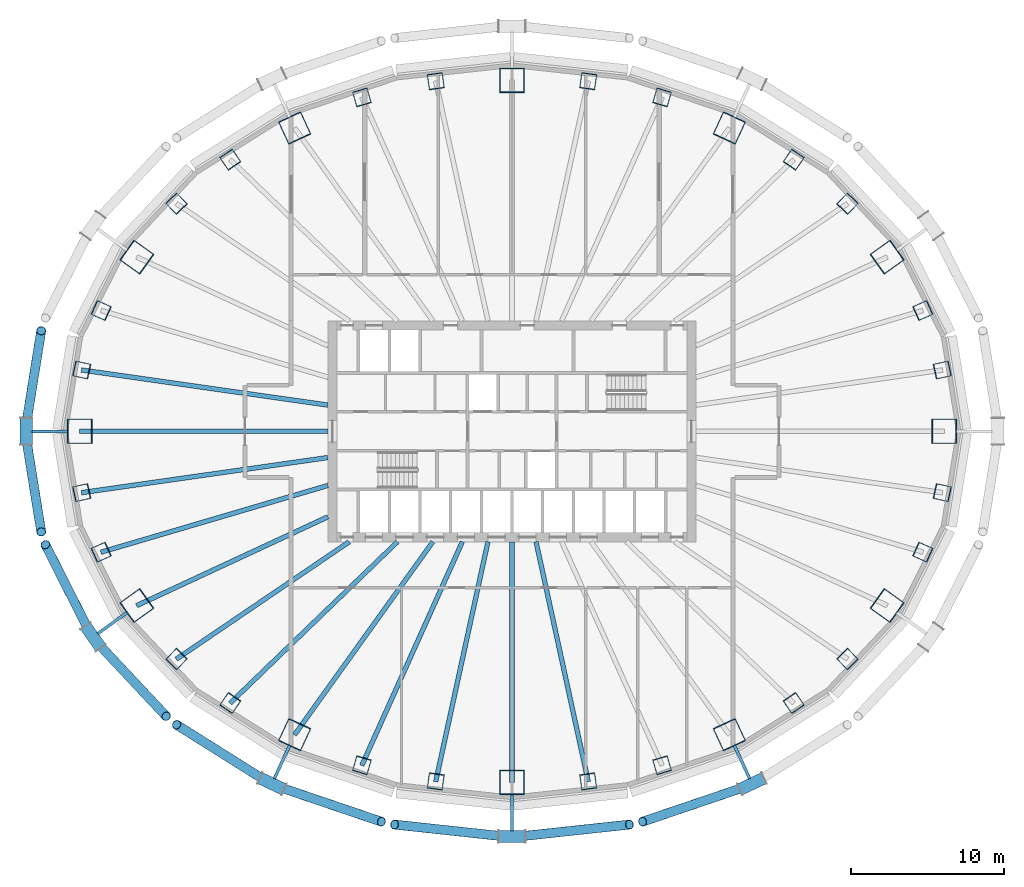
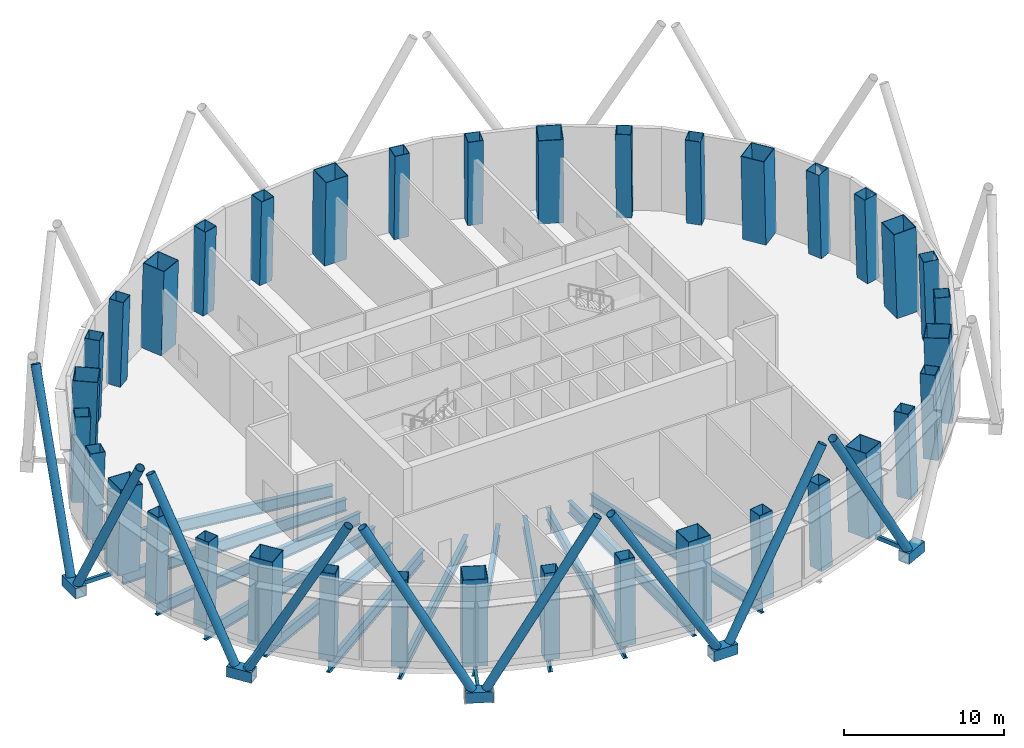
# One storey, part 1 of 13: 36 columns, 19 members, 12 beams.
"""IFC4 building model written with IfcOpenShell, lengths in metres."""

from ifc_helpers import new_model, si_unit, direction, frame, origin, origin_2d, place, context, subcontext, project, spatial, hollow_rectangle, hollow_circle, i_section, extrude, material, material_profile, profile_set, type_object, element, save


model = new_model("IFC4")

# Units and contexts
model_context = context("Model", 3, precision=1e-05, world=origin(), true_north=direction((0.0, 1.0)))
body_context = subcontext(model_context, "Body", "Model", "MODEL_VIEW")
ifc_project = project(units=[si_unit("LENGTHUNIT", "METRE"), si_unit("AREAUNIT", "SQUARE_METRE"), si_unit("VOLUMEUNIT", "CUBIC_METRE"), si_unit("PLANEANGLEUNIT", "RADIAN"), si_unit("MASSUNIT", "GRAM", prefix="KILO")], contexts=[model_context])

# Site, building, storey
site_placement = place(None, origin())
site = spatial("IfcSite", under=ifc_project, at=site_placement, CompositionType="ELEMENT")
building_placement = place(site_placement, origin())
building = spatial("IfcBuilding", under=site, at=building_placement, Name="Siaravel Broadcast Tower", CompositionType="ELEMENT")
storey_placement = place(building_placement, frame((0.0, 0.0, 7.0)))
storey = spatial("IfcBuildingStorey", under=building, at=storey_placement, Name="L01", CompositionType="ELEMENT", Elevation=7.0)

# Columns
ifc_material_1 = material(Name="Concrete C70/85", Category="concrete")
ifc_material_profile_1 = material_profile(ifc_material_1, hollow_rectangle(XDim=1.0, YDim=1.0, WallThickness=0.031982421875, at=origin_2d()))
ifc_profile_set_1 = profile_set([ifc_material_profile_1], Name="Concrete C70/85")
column_type_1 = type_object("IfcColumnType", Name="COL-CFT BOX 1000x1000x32", PredefinedType="COLUMN", material=ifc_profile_set_1)
column_1_placement = place(storey_placement, frame((28.07275390625, 3.999267578125, 0.0), z_axis=(-0.034046844, -0.00491746, 0.99940814), x_axis=(0.21229879, -0.977201794, 0.002424187)))
element("IfcColumn", 1, at=column_1_placement, inside=storey, type_object=column_type_1, Name="Perimeter column C01", PredefinedType="COLUMN", context=body_context, shape_type="SweptSolid", body=[
    extrude(hollow_rectangle(XDim=1.0, YDim=1.0, WallThickness=0.031982421875, at=origin_2d()), origin(), (0.0, 0.0, 1.0), 6.50390625),
])
column_2_placement = place(storey_placement, frame((26.802001953125, 7.883544921875, 0.0), z_axis=(-0.032508325, -0.009684928, 0.99942454), x_axis=(0.409164552, -0.912449679, 0.004466815)))
element("IfcColumn", 2, at=column_2_placement, inside=storey, type_object=column_type_1, Name="Perimeter column C02", PredefinedType="COLUMN", context=body_context, shape_type="SweptSolid", body=[
    extrude(hollow_rectangle(XDim=1.0, YDim=1.0, WallThickness=0.031982421875, at=origin_2d()), origin(), (0.0, 0.0, 1.0), 6.503662109375),
])
column_3_placement = place(storey_placement, frame((21.88623046875, 14.8544921875, 0.0), z_axis=(-0.026503715, -0.018207227, 0.999482891), x_axis=(0.71942256, -0.694542943, 0.006424992)))
element("IfcColumn", 3, at=column_3_placement, inside=storey, type_object=column_type_1, Name="Perimeter column C03", PredefinedType="COLUMN", context=body_context, shape_type="SweptSolid", body=[
    extrude(hollow_rectangle(XDim=1.0, YDim=1.0, WallThickness=0.031982421875, at=origin_2d()), origin(), (0.0, 0.0, 1.0), 6.50341796875),
])
column_4_placement = place(storey_placement, frame((18.380615234375, 17.725830078125, 0.0), z_axis=(-0.022262371, -0.021699242, 0.999516648), x_axis=(0.827041819, -0.562106014, 0.006217643)))
element("IfcColumn", 4, at=column_4_placement, inside=storey, type_object=column_type_1, Name="Perimeter column C04", PredefinedType="COLUMN", context=body_context, shape_type="SweptSolid", body=[
    extrude(hollow_rectangle(XDim=1.0, YDim=1.0, WallThickness=0.031982421875, at=origin_2d()), origin(), (0.0, 0.0, 1.0), 6.503173828125),
])
for number, where, z_axis, x_axis, name in (
    (5, (9.79248046875, 21.785888671875, 0.0), (-0.011788871, -0.026618821, 0.999576141), (0.959853755, -0.280474484, 0.003851325), "Perimeter column C05"),
    (6, (4.973388671875, 22.843505859375, 0.0), (-0.005969625, -0.027895794, 0.999593011), (0.990225668, -0.139459812, 0.002021756), "Perimeter column C06"),
    (7, (-4.973388671875, 22.843505859375, 0.0), (0.005969625, -0.027895794, 0.999593011), (0.990225668, 0.139459812, -0.002021756), "Perimeter column C07"),
    (8, (-9.79248046875, 21.785888671875, 0.0), (0.011788871, -0.026618821, 0.999576141), (0.959853755, 0.280474484, -0.003851325), "Perimeter column C08"),
):
    element("IfcColumn", number, at=place(storey_placement, frame(where, z_axis=z_axis, x_axis=x_axis)), inside=storey, type_object=column_type_1, Name=name, PredefinedType="COLUMN", context=body_context, shape_type="SweptSolid", body=[
        extrude(hollow_rectangle(XDim=1.0, YDim=1.0, WallThickness=0.031982421875, at=origin_2d()), origin(), (0.0, 0.0, 1.0), 6.502685546875),
    ])
column_5_placement = place(storey_placement, frame((-18.380615234375, 17.725830078125, 0.0), z_axis=(0.022262371, -0.021699242, 0.999516648), x_axis=(0.827041819, 0.562106014, -0.006217643)))
element("IfcColumn", 9, at=column_5_placement, inside=storey, type_object=column_type_1, Name="Perimeter column C09", PredefinedType="COLUMN", context=body_context, shape_type="SweptSolid", body=[
    extrude(hollow_rectangle(XDim=1.0, YDim=1.0, WallThickness=0.031982421875, at=origin_2d()), origin(), (0.0, 0.0, 1.0), 6.503173828125),
])
column_6_placement = place(storey_placement, frame((-21.88623046875, 14.8544921875, 0.0), z_axis=(0.026503715, -0.018207227, 0.999482891), x_axis=(0.71942256, 0.694542943, -0.006424992)))
element("IfcColumn", 10, at=column_6_placement, inside=storey, type_object=column_type_1, Name="Perimeter column C10", PredefinedType="COLUMN", context=body_context, shape_type="SweptSolid", body=[
    extrude(hollow_rectangle(XDim=1.0, YDim=1.0, WallThickness=0.031982421875, at=origin_2d()), origin(), (0.0, 0.0, 1.0), 6.50341796875),
])
column_7_placement = place(storey_placement, frame((-26.802001953125, 7.883544921875, 0.0), z_axis=(0.032508325, -0.009684928, 0.99942454), x_axis=(0.409164552, 0.912449679, -0.004466815)))
element("IfcColumn", 11, at=column_7_placement, inside=storey, type_object=column_type_1, Name="Perimeter column C11", PredefinedType="COLUMN", context=body_context, shape_type="SweptSolid", body=[
    extrude(hollow_rectangle(XDim=1.0, YDim=1.0, WallThickness=0.031982421875, at=origin_2d()), origin(), (0.0, 0.0, 1.0), 6.503662109375),
])
for number, where, z_axis, x_axis, name in (
    (12, (-28.07275390625, 3.999267578125, 0.0), (0.034046844, -0.00491746, 0.99940814), (0.21229879, 0.977201794, -0.002424187), "Perimeter column C12"),
    (13, (-28.07275390625, -3.999267578125, 0.0), (0.034046844, 0.00491746, 0.99940814), (-0.21229879, 0.977201794, 0.002424187), "Perimeter column C13"),
):
    element("IfcColumn", number, at=place(storey_placement, frame(where, z_axis=z_axis, x_axis=x_axis)), inside=storey, type_object=column_type_1, Name=name, PredefinedType="COLUMN", context=body_context, shape_type="SweptSolid", body=[
        extrude(hollow_rectangle(XDim=1.0, YDim=1.0, WallThickness=0.031982421875, at=origin_2d()), origin(), (0.0, 0.0, 1.0), 6.50390625),
    ])
column_8_placement = place(storey_placement, frame((-26.802001953125, -7.883544921875, 0.0), z_axis=(0.032508325, 0.009684928, 0.99942454), x_axis=(-0.409164552, 0.912449679, 0.004466815)))
element("IfcColumn", 14, at=column_8_placement, inside=storey, type_object=column_type_1, Name="Perimeter column C14", PredefinedType="COLUMN", context=body_context, shape_type="SweptSolid", body=[
    extrude(hollow_rectangle(XDim=1.0, YDim=1.0, WallThickness=0.031982421875, at=origin_2d()), origin(), (0.0, 0.0, 1.0), 6.503662109375),
])
column_9_placement = place(storey_placement, frame((-21.88623046875, -14.8544921875, 0.0), z_axis=(0.026503715, 0.018207227, 0.999482891), x_axis=(-0.71942256, 0.694542943, 0.006424992)))
element("IfcColumn", 15, at=column_9_placement, inside=storey, type_object=column_type_1, Name="Perimeter column C15", PredefinedType="COLUMN", context=body_context, shape_type="SweptSolid", body=[
    extrude(hollow_rectangle(XDim=1.0, YDim=1.0, WallThickness=0.031982421875, at=origin_2d()), origin(), (0.0, 0.0, 1.0), 6.50341796875),
])
column_10_placement = place(storey_placement, frame((-18.380615234375, -17.725830078125, 0.0), z_axis=(0.022262371, 0.021699242, 0.999516648), x_axis=(-0.827041819, 0.562106014, 0.006217643)))
element("IfcColumn", 16, at=column_10_placement, inside=storey, type_object=column_type_1, Name="Perimeter column C16", PredefinedType="COLUMN", context=body_context, shape_type="SweptSolid", body=[
    extrude(hollow_rectangle(XDim=1.0, YDim=1.0, WallThickness=0.031982421875, at=origin_2d()), origin(), (0.0, 0.0, 1.0), 6.503173828125),
])
for number, where, z_axis, x_axis, name in (
    (17, (-9.79248046875, -21.785888671875, 0.0), (0.011788871, 0.026618821, 0.999576141), (-0.959853755, 0.280474484, 0.003851325), "Perimeter column C17"),
    (18, (-4.973388671875, -22.843505859375, 0.0), (0.005969625, 0.027895794, 0.999593011), (-0.990225668, 0.139459812, 0.002021756), "Perimeter column C18"),
    (19, (4.973388671875, -22.843505859375, 0.0), (-0.005969625, 0.027895794, 0.999593011), (-0.990225668, -0.139459812, -0.002021756), "Perimeter column C19"),
    (20, (9.79248046875, -21.785888671875, 0.0), (-0.011788871, 0.026618821, 0.999576141), (-0.959853755, -0.280474484, -0.003851325), "Perimeter column C20"),
):
    element("IfcColumn", number, at=place(storey_placement, frame(where, z_axis=z_axis, x_axis=x_axis)), inside=storey, type_object=column_type_1, Name=name, PredefinedType="COLUMN", context=body_context, shape_type="SweptSolid", body=[
        extrude(hollow_rectangle(XDim=1.0, YDim=1.0, WallThickness=0.031982421875, at=origin_2d()), origin(), (0.0, 0.0, 1.0), 6.502685546875),
    ])
column_11_placement = place(storey_placement, frame((18.380615234375, -17.725830078125, 0.0), z_axis=(-0.022262371, 0.021699242, 0.999516648), x_axis=(-0.827041819, -0.562106014, -0.006217643)))
element("IfcColumn", 21, at=column_11_placement, inside=storey, type_object=column_type_1, Name="Perimeter column C21", PredefinedType="COLUMN", context=body_context, shape_type="SweptSolid", body=[
    extrude(hollow_rectangle(XDim=1.0, YDim=1.0, WallThickness=0.031982421875, at=origin_2d()), origin(), (0.0, 0.0, 1.0), 6.503173828125),
])
column_12_placement = place(storey_placement, frame((21.88623046875, -14.8544921875, 0.0), z_axis=(-0.026503715, 0.018207227, 0.999482891), x_axis=(-0.71942256, -0.694542943, -0.006424992)))
element("IfcColumn", 22, at=column_12_placement, inside=storey, type_object=column_type_1, Name="Perimeter column C22", PredefinedType="COLUMN", context=body_context, shape_type="SweptSolid", body=[
    extrude(hollow_rectangle(XDim=1.0, YDim=1.0, WallThickness=0.031982421875, at=origin_2d()), origin(), (0.0, 0.0, 1.0), 6.50341796875),
])
column_13_placement = place(storey_placement, frame((26.802001953125, -7.883544921875, 0.0), z_axis=(-0.032508325, 0.009684928, 0.99942454), x_axis=(-0.409164552, -0.912449679, -0.004466815)))
element("IfcColumn", 23, at=column_13_placement, inside=storey, type_object=column_type_1, Name="Perimeter column C23", PredefinedType="COLUMN", context=body_context, shape_type="SweptSolid", body=[
    extrude(hollow_rectangle(XDim=1.0, YDim=1.0, WallThickness=0.031982421875, at=origin_2d()), origin(), (0.0, 0.0, 1.0), 6.503662109375),
])
column_14_placement = place(storey_placement, frame((28.07275390625, -3.999267578125, 0.0), z_axis=(-0.034046844, 0.00491746, 0.99940814), x_axis=(-0.21229879, -0.977201794, -0.002424187)))
element("IfcColumn", 24, at=column_14_placement, inside=storey, type_object=column_type_1, Name="Perimeter column C24", PredefinedType="COLUMN", context=body_context, shape_type="SweptSolid", body=[
    extrude(hollow_rectangle(XDim=1.0, YDim=1.0, WallThickness=0.031982421875, at=origin_2d()), origin(), (0.0, 0.0, 1.0), 6.50390625),
])
ifc_material_profile_2 = material_profile(ifc_material_1, hollow_rectangle(XDim=1.60009765625, YDim=1.60009765625, WallThickness=0.0400390625, at=origin_2d()))
ifc_profile_set_2 = profile_set([ifc_material_profile_2], Name="Concrete C70/85")
column_type_2 = type_object("IfcColumnType", Name="COL-CFT BOX 1600x1600x40", PredefinedType="COLUMN", material=ifc_profile_set_2)
column_15_placement = place(storey_placement, frame((28.199951171875, 0.0, 0.0), z_axis=(-0.034572169, 0.0, 0.999402204), x_axis=(0.0, -1.0, 0.0)))
element("IfcColumn", 25, at=column_15_placement, inside=storey, type_object=column_type_2, Name="Megacolumn MC01", PredefinedType="COLUMN", context=body_context, shape_type="SweptSolid", body=[
    extrude(hollow_rectangle(XDim=1.60009765625, YDim=1.60009765625, WallThickness=0.0400390625, at=origin_2d()), origin(), (0.0, 0.0, 1.0), 6.50390625),
])
column_16_placement = place(storey_placement, frame((24.475341796875, 11.3662109375, 0.0), z_axis=(-0.029956502, -0.014152382, 0.999451008), x_axis=(0.581402887, -0.813594374, 0.00590574)))
element("IfcColumn", 26, at=column_16_placement, inside=storey, type_object=column_type_2, Name="Megacolumn MC02", PredefinedType="COLUMN", context=body_context, shape_type="SweptSolid", body=[
    extrude(hollow_rectangle(XDim=1.60009765625, YDim=1.60009765625, WallThickness=0.0400390625, at=origin_2d()), origin(), (0.0, 0.0, 1.0), 6.503662109375),
])
column_17_placement = place(storey_placement, frame((14.1796875, 19.790283203125, 0.0), z_axis=(-0.01730739, -0.024553217, 0.999548695), x_axis=(0.907227052, -0.4206069, 0.005376906)))
element("IfcColumn", 27, at=column_17_placement, inside=storey, type_object=column_type_2, Name="Megacolumn MC03", PredefinedType="COLUMN", context=body_context, shape_type="SweptSolid", body=[
    extrude(hollow_rectangle(XDim=1.60009765625, YDim=1.60009765625, WallThickness=0.0400390625, at=origin_2d()), origin(), (0.0, 0.0, 1.0), 6.5029296875),
])
column_18_placement = place(storey_placement, frame((0.0, 22.89990234375, 0.0), z_axis=(0.0, -0.028308962, 0.999599221), x_axis=(1.0, 0.0, 0.0)))
element("IfcColumn", 28, at=column_18_placement, inside=storey, type_object=column_type_2, Name="Megacolumn MC04", PredefinedType="COLUMN", context=body_context, shape_type="SweptSolid", body=[
    extrude(hollow_rectangle(XDim=1.60009765625, YDim=1.60009765625, WallThickness=0.0400390625, at=origin_2d()), origin(), (0.0, 0.0, 1.0), 6.502685546875),
])
column_19_placement = place(storey_placement, frame((-14.1796875, 19.790283203125, 0.0), z_axis=(0.01730739, -0.024553217, 0.999548695), x_axis=(0.907227052, 0.4206069, -0.005376906)))
element("IfcColumn", 29, at=column_19_placement, inside=storey, type_object=column_type_2, Name="Megacolumn MC05", PredefinedType="COLUMN", context=body_context, shape_type="SweptSolid", body=[
    extrude(hollow_rectangle(XDim=1.60009765625, YDim=1.60009765625, WallThickness=0.0400390625, at=origin_2d()), origin(), (0.0, 0.0, 1.0), 6.5029296875),
])
column_20_placement = place(storey_placement, frame((-24.475341796875, 11.3662109375, 0.0), z_axis=(0.029956502, -0.014152382, 0.999451008), x_axis=(0.581402887, 0.813594374, -0.00590574)))
element("IfcColumn", 30, at=column_20_placement, inside=storey, type_object=column_type_2, Name="Megacolumn MC06", PredefinedType="COLUMN", context=body_context, shape_type="SweptSolid", body=[
    extrude(hollow_rectangle(XDim=1.60009765625, YDim=1.60009765625, WallThickness=0.0400390625, at=origin_2d()), origin(), (0.0, 0.0, 1.0), 6.503662109375),
])
column_21_placement = place(storey_placement, frame((-28.199951171875, 0.0, 0.0), z_axis=(0.034572169, 0.0, 0.999402204), x_axis=(0.0, 1.0, 0.0)))
element("IfcColumn", 31, at=column_21_placement, inside=storey, type_object=column_type_2, Name="Megacolumn MC07", PredefinedType="COLUMN", context=body_context, shape_type="SweptSolid", body=[
    extrude(hollow_rectangle(XDim=1.60009765625, YDim=1.60009765625, WallThickness=0.0400390625, at=origin_2d()), origin(), (0.0, 0.0, 1.0), 6.50390625),
])
column_22_placement = place(storey_placement, frame((-24.475341796875, -11.3662109375, 0.0), z_axis=(0.029956502, 0.014152382, 0.999451008), x_axis=(-0.581402887, 0.813594374, 0.00590574)))
element("IfcColumn", 32, at=column_22_placement, inside=storey, type_object=column_type_2, Name="Megacolumn MC08", PredefinedType="COLUMN", context=body_context, shape_type="SweptSolid", body=[
    extrude(hollow_rectangle(XDim=1.60009765625, YDim=1.60009765625, WallThickness=0.0400390625, at=origin_2d()), origin(), (0.0, 0.0, 1.0), 6.503662109375),
])
column_23_placement = place(storey_placement, frame((-14.1796875, -19.790283203125, 0.0), z_axis=(0.01730739, 0.024553217, 0.999548695), x_axis=(-0.907227052, 0.4206069, 0.005376906)))
element("IfcColumn", 33, at=column_23_placement, inside=storey, type_object=column_type_2, Name="Megacolumn MC09", PredefinedType="COLUMN", context=body_context, shape_type="SweptSolid", body=[
    extrude(hollow_rectangle(XDim=1.60009765625, YDim=1.60009765625, WallThickness=0.0400390625, at=origin_2d()), origin(), (0.0, 0.0, 1.0), 6.5029296875),
])
column_24_placement = place(storey_placement, frame((0.0, -22.89990234375, 0.0), z_axis=(0.0, 0.028308962, 0.999599221), x_axis=(-1.0, 0.0, 0.0)))
element("IfcColumn", 34, at=column_24_placement, inside=storey, type_object=column_type_2, Name="Megacolumn MC10", PredefinedType="COLUMN", context=body_context, shape_type="SweptSolid", body=[
    extrude(hollow_rectangle(XDim=1.60009765625, YDim=1.60009765625, WallThickness=0.0400390625, at=origin_2d()), origin(), (0.0, 0.0, 1.0), 6.502685546875),
])
column_25_placement = place(storey_placement, frame((14.1796875, -19.790283203125, 0.0), z_axis=(-0.01730739, 0.024553217, 0.999548695), x_axis=(-0.907227052, -0.4206069, -0.005376906)))
element("IfcColumn", 35, at=column_25_placement, inside=storey, type_object=column_type_2, Name="Megacolumn MC11", PredefinedType="COLUMN", context=body_context, shape_type="SweptSolid", body=[
    extrude(hollow_rectangle(XDim=1.60009765625, YDim=1.60009765625, WallThickness=0.0400390625, at=origin_2d()), origin(), (0.0, 0.0, 1.0), 6.5029296875),
])
column_26_placement = place(storey_placement, frame((24.475341796875, -11.3662109375, 0.0), z_axis=(-0.029956502, 0.014152382, 0.999451008), x_axis=(-0.581402887, -0.813594374, -0.00590574)))
element("IfcColumn", 36, at=column_26_placement, inside=storey, type_object=column_type_2, Name="Megacolumn MC12", PredefinedType="COLUMN", context=body_context, shape_type="SweptSolid", body=[
    extrude(hollow_rectangle(XDim=1.60009765625, YDim=1.60009765625, WallThickness=0.0400390625, at=origin_2d()), origin(), (0.0, 0.0, 1.0), 6.503662109375),
])

# Beams
ifc_material_2 = material(Name="Steel S355", Category="steel")
ifc_material_profile_3 = material_profile(ifc_material_2, i_section(OverallWidth=0.30322265625, OverallDepth=0.903076171875, WebThickness=0.01513671875, FlangeThickness=0.020263671875, FilletRadius=0.01904296875, at=origin_2d()))
ifc_profile_set_3 = profile_set([ifc_material_profile_3], Name="Steel S355")
beam_type = type_object("IfcBeamType", Name="BM-UB 914x305x201", PredefinedType="BEAM", material=ifc_profile_set_3)
beam_1_placement = place(storey_placement, frame((-28.07275390625, 3.999267578125, -0.8515625), z_axis=(0.990003857, -0.141040286, 0.0), x_axis=(0.141040286, 0.990003857, 0.0)))
element("IfcBeam", 37, at=beam_1_placement, inside=storey, type_object=beam_type, Name="Radial beam RB18", PredefinedType="BEAM", context=body_context, shape_type="SweptSolid", body=[
    extrude(i_section(OverallWidth=0.30322265625, OverallDepth=0.903076171875, WebThickness=0.01513671875, FlangeThickness=0.020263671875, FilletRadius=0.01904296875, at=origin_2d()), origin(), (0.0, 0.0, 1.0), 16.235107421875),
])
beam_2_placement = place(storey_placement, frame((-28.199951171875, 0.0, -0.8515625), z_axis=(1.0, 0.0, 0.0), x_axis=(0.0, 1.0, 0.0)))
element("IfcBeam", 38, at=beam_2_placement, inside=storey, type_object=beam_type, Name="Radial beam RB19", PredefinedType="BEAM", context=body_context, shape_type="SweptSolid", body=[
    extrude(i_section(OverallWidth=0.30322265625, OverallDepth=0.903076171875, WebThickness=0.01513671875, FlangeThickness=0.020263671875, FilletRadius=0.01904296875, at=origin_2d()), origin(), (0.0, 0.0, 1.0), 16.199951171875),
])
beam_3_placement = place(storey_placement, frame((-28.07275390625, -3.999267578125, -0.8515625), z_axis=(0.990003857, 0.141040286, 0.0), x_axis=(-0.141040286, 0.990003857, 0.0)))
element("IfcBeam", 39, at=beam_3_placement, inside=storey, type_object=beam_type, Name="Radial beam RB20", PredefinedType="BEAM", context=body_context, shape_type="SweptSolid", body=[
    extrude(i_section(OverallWidth=0.30322265625, OverallDepth=0.903076171875, WebThickness=0.01513671875, FlangeThickness=0.020263671875, FilletRadius=0.01904296875, at=origin_2d()), origin(), (0.0, 0.0, 1.0), 16.235107421875),
])
beam_4_placement = place(storey_placement, frame((-26.802001953125, -7.883544921875, -0.8515625), z_axis=(0.95936147, 0.282180031, 0.0), x_axis=(-0.282180031, 0.95936147, 0.0)))
element("IfcBeam", 40, at=beam_4_placement, inside=storey, type_object=beam_type, Name="Radial beam RB21", PredefinedType="BEAM", context=body_context, shape_type="SweptSolid", body=[
    extrude(i_section(OverallWidth=0.30322265625, OverallDepth=0.903076171875, WebThickness=0.01513671875, FlangeThickness=0.020263671875, FilletRadius=0.01904296875, at=origin_2d()), origin(), (0.0, 0.0, 1.0), 15.428955078125),
])
beam_5_placement = place(storey_placement, frame((-24.475341796875, -11.3662109375, -0.8515625), z_axis=(0.90697192, 0.421191093, 0.0), x_axis=(-0.421191093, 0.90697192, 0.0)))
element("IfcBeam", 41, at=beam_5_placement, inside=storey, type_object=beam_type, Name="Radial beam RB22", PredefinedType="BEAM", context=body_context, shape_type="SweptSolid", body=[
    extrude(i_section(OverallWidth=0.30322265625, OverallDepth=0.903076171875, WebThickness=0.01513671875, FlangeThickness=0.020263671875, FilletRadius=0.01904296875, at=origin_2d()), origin(), (0.0, 0.0, 1.0), 13.7548828125),
])
beam_6_placement = place(storey_placement, frame((-21.88623046875, -14.8544921875, -0.8515625), z_axis=(0.827416919, 0.561588143, 0.0), x_axis=(-0.561588143, 0.827416919, 0.0)))
element("IfcBeam", 42, at=beam_6_placement, inside=storey, type_object=beam_type, Name="Radial beam RB23", PredefinedType="BEAM", context=body_context, shape_type="SweptSolid", body=[
    extrude(i_section(OverallWidth=0.30322265625, OverallDepth=0.903076171875, WebThickness=0.01513671875, FlangeThickness=0.020263671875, FilletRadius=0.01904296875, at=origin_2d()), origin(), (0.0, 0.0, 1.0), 13.630126953125),
])
beam_7_placement = place(storey_placement, frame((-18.380615234375, -17.725830078125, -0.8515625), z_axis=(0.719814701, 0.69416626, 0.0), x_axis=(-0.69416626, 0.719814701, 0.0)))
element("IfcBeam", 43, at=beam_7_placement, inside=storey, type_object=beam_type, Name="Radial beam RB24", PredefinedType="BEAM", context=body_context, shape_type="SweptSolid", body=[
    extrude(i_section(OverallWidth=0.30322265625, OverallDepth=0.903076171875, WebThickness=0.01513671875, FlangeThickness=0.020263671875, FilletRadius=0.01904296875, at=origin_2d()), origin(), (0.0, 0.0, 1.0), 15.163330078125),
])
beam_8_placement = place(storey_placement, frame((-14.1796875, -19.790283203125, -0.8515625), z_axis=(0.582430419, 0.812880561, 0.0), x_axis=(-0.812880561, 0.582430419, 0.0)))
element("IfcBeam", 44, at=beam_8_placement, inside=storey, type_object=beam_type, Name="Radial beam RB25", PredefinedType="BEAM", context=body_context, shape_type="SweptSolid", body=[
    extrude(i_section(OverallWidth=0.30322265625, OverallDepth=0.903076171875, WebThickness=0.01513671875, FlangeThickness=0.020263671875, FilletRadius=0.01904296875, at=origin_2d()), origin(), (0.0, 0.0, 1.0), 15.488525390625),
])
beam_9_placement = place(storey_placement, frame((-9.79248046875, -21.785888671875, -0.8515625), z_axis=(0.409973607, 0.912097386, 0.0), x_axis=(-0.912097386, 0.409973607, 0.0)))
element("IfcBeam", 45, at=beam_9_placement, inside=storey, type_object=beam_type, Name="Radial beam RB26", PredefinedType="BEAM", context=body_context, shape_type="SweptSolid", body=[
    extrude(i_section(OverallWidth=0.30322265625, OverallDepth=0.903076171875, WebThickness=0.01513671875, FlangeThickness=0.020263671875, FilletRadius=0.01904296875, at=origin_2d()), origin(), (0.0, 0.0, 1.0), 15.99169921875),
])
beam_10_placement = place(storey_placement, frame((-4.973388671875, -22.843505859375, -0.8515625), z_axis=(0.212727188, 0.977111633, 0.0), x_axis=(-0.977111633, 0.212727188, 0.0)))
element("IfcBeam", 46, at=beam_10_placement, inside=storey, type_object=beam_type, Name="Radial beam RB27", PredefinedType="BEAM", context=body_context, shape_type="SweptSolid", body=[
    extrude(i_section(OverallWidth=0.30322265625, OverallDepth=0.903076171875, WebThickness=0.01513671875, FlangeThickness=0.020263671875, FilletRadius=0.01904296875, at=origin_2d()), origin(), (0.0, 0.0, 1.0), 16.010009765625),
])
beam_11_placement = place(storey_placement, frame((0.0, -22.89990234375, -0.8515625), z_axis=(0.0, 1.0, 0.0), x_axis=(-1.0, 0.0, 0.0)))
element("IfcBeam", 47, at=beam_11_placement, inside=storey, type_object=beam_type, Name="Radial beam RB28", PredefinedType="BEAM", context=body_context, shape_type="SweptSolid", body=[
    extrude(i_section(OverallWidth=0.30322265625, OverallDepth=0.903076171875, WebThickness=0.01513671875, FlangeThickness=0.020263671875, FilletRadius=0.01904296875, at=origin_2d()), origin(), (0.0, 0.0, 1.0), 15.699951171875),
])
beam_12_placement = place(storey_placement, frame((4.973388671875, -22.843505859375, -0.8515625), z_axis=(-0.212727188, 0.977111633, 0.0), x_axis=(-0.977111633, -0.212727188, 0.0)))
element("IfcBeam", 48, at=beam_12_placement, inside=storey, type_object=beam_type, Name="Radial beam RB29", PredefinedType="BEAM", context=body_context, shape_type="SweptSolid", body=[
    extrude(i_section(OverallWidth=0.30322265625, OverallDepth=0.903076171875, WebThickness=0.01513671875, FlangeThickness=0.020263671875, FilletRadius=0.01904296875, at=origin_2d()), origin(), (0.0, 0.0, 1.0), 16.010009765625),
])

# Members
ifc_material_3 = material(Name="Steel S460", Category="steel")
ifc_material_profile_4 = material_profile(ifc_material_3, hollow_circle(Radius=0.304931640625, WallThickness=0.02490234375, at=origin_2d()))
ifc_profile_set_4 = profile_set([ifc_material_profile_4], Name="Steel S460")
member_type_1 = type_object("IfcMemberType", Name="Diagrid diagonal CHS 610x25", PredefinedType="BRACE", material=ifc_profile_set_4)
for number, where, z_axis, x_axis, name in (
    (49, (-31.675048828125, 0.435546875, 0.169921875), (0.071629519, 0.445645428, 0.892339266), (-0.987327618, 0.158695228, 0.0), "Diagrid diagonal R01 station 36C"),
    (50, (-31.675048828125, -0.435546875, 0.169921875), (0.071629519, -0.445645428, 0.892339266), (0.987327618, 0.158695228, 0.0), "Diagrid diagonal R01 station 36A"),
):
    element("IfcMember", number, at=place(storey_placement, frame(where, z_axis=z_axis, x_axis=x_axis)), inside=storey, type_object=member_type_1, Name=name, PredefinedType="BRACE", context=body_context, shape_type="SweptSolid", body=[
        extrude(hollow_circle(Radius=0.304931640625, WallThickness=0.02490234375, at=origin_2d()), origin(), (0.0, 0.0, 1.0), 13.7392578125),
    ])
member_1_placement = place(storey_placement, frame((-27.5556640625, -13.0498046875, 0.169921875), z_axis=(-0.207474373, 0.410244673, 0.888061762), x_axis=(-0.89237135, -0.451301866, 0.0)))
element("IfcMember", 51, at=member_1_placement, inside=storey, type_object=member_type_1, Name="Diagrid diagonal R01 station 42C", PredefinedType="BRACE", context=body_context, shape_type="SweptSolid", body=[
    extrude(hollow_circle(Radius=0.304931640625, WallThickness=0.02490234375, at=origin_2d()), origin(), (0.0, 0.0, 1.0), 13.805419921875),
])
member_2_placement = place(storey_placement, frame((-27.053955078125, -13.76171875, 0.169921875), z_axis=(0.323963938, -0.345778983, 0.880615842), x_axis=(0.729751838, 0.683712114, 0.0)))
element("IfcMember", 52, at=member_2_placement, inside=storey, type_object=member_type_1, Name="Diagrid diagonal R01 station 42A", PredefinedType="BRACE", context=body_context, shape_type="SweptSolid", body=[
    extrude(hollow_circle(Radius=0.304931640625, WallThickness=0.02490234375, at=origin_2d()), origin(), (0.0, 0.0, 1.0), 13.922119140625),
])
member_3_placement = place(storey_placement, frame((-16.042724609375, -22.789306640625, 0.169921875), z_axis=(-0.414461923, 0.260436564, 0.872005797), x_axis=(-0.532050938, -0.846712347, 0.0)))
element("IfcMember", 53, at=member_3_placement, inside=storey, type_object=member_type_1, Name="Diagrid diagonal R01 station 48C", PredefinedType="BRACE", context=body_context, shape_type="SweptSolid", body=[
    extrude(hollow_circle(Radius=0.304931640625, WallThickness=0.02490234375, at=origin_2d()), origin(), (0.0, 0.0, 1.0), 14.0595703125),
])
member_4_placement = place(storey_placement, frame((-15.25537109375, -23.16162109375, 0.169921875), z_axis=(0.475846045, -0.161410257, 0.864590811), x_axis=(0.321229402, 0.94700141, 0.0)))
element("IfcMember", 54, at=member_4_placement, inside=storey, type_object=member_type_1, Name="Diagrid diagonal R01 station 48A", PredefinedType="BRACE", context=body_context, shape_type="SweptSolid", body=[
    extrude(hollow_circle(Radius=0.304931640625, WallThickness=0.02490234375, at=origin_2d()), origin(), (0.0, 0.0, 1.0), 14.18017578125),
])
for number, where, z_axis, x_axis, name in (
    (55, (-0.435546875, -26.415771484375, 0.169921875), (-0.506766616, 0.054636017, 0.860350221), (-0.107191796, -0.994238361, 0.0), "Diagrid diagonal R01 station 54C"),
    (56, (0.435546875, -26.415771484375, 0.169921875), (0.506766616, 0.054636017, 0.860350221), (-0.107191796, 0.994238361, 0.0), "Diagrid diagonal R01 station 54A"),
):
    element("IfcMember", number, at=place(storey_placement, frame(where, z_axis=z_axis, x_axis=x_axis)), inside=storey, type_object=member_type_1, Name=name, PredefinedType="BRACE", context=body_context, shape_type="SweptSolid", body=[
        extrude(hollow_circle(Radius=0.304931640625, WallThickness=0.02490234375, at=origin_2d()), origin(), (0.0, 0.0, 1.0), 14.25),
    ])
member_5_placement = place(storey_placement, frame((15.25537109375, -23.16162109375, 0.169921875), z_axis=(-0.475846045, -0.161410257, 0.864590811), x_axis=(0.321229402, -0.94700141, 0.0)))
element("IfcMember", 57, at=member_5_placement, inside=storey, type_object=member_type_1, Name="Diagrid diagonal R01 station 60C", PredefinedType="BRACE", context=body_context, shape_type="SweptSolid", body=[
    extrude(hollow_circle(Radius=0.304931640625, WallThickness=0.02490234375, at=origin_2d()), origin(), (0.0, 0.0, 1.0), 14.18017578125),
])
ifc_material_profile_5 = material_profile(ifc_material_3, hollow_rectangle(XDim=0.800048828125, YDim=0.800048828125, WallThickness=0.050048828125, at=origin_2d()))
ifc_profile_set_5 = profile_set([ifc_material_profile_5], Name="Steel S460")
member_type_2 = type_object("IfcMemberType", Name="Diagrid node BOX 800x800x50", PredefinedType="USERDEFINED", material=ifc_profile_set_5)
member_6_placement = place(storey_placement, frame((-31.675048828125, 0.860595703125, -0.199951171875), z_axis=(0.0, -1.0, 0.0), x_axis=(1.0, 0.0, 0.0)))
element("IfcMember", 58, at=member_6_placement, inside=storey, type_object=member_type_2, Name="Diagrid node R01 station 36", ObjectType="DIAGRID NODE", PredefinedType="USERDEFINED", context=body_context, shape_type="SweptSolid", body=[
    extrude(hollow_rectangle(XDim=0.800048828125, YDim=0.800048828125, WallThickness=0.050048828125, at=origin_2d()), origin(), (0.0, 0.0, 1.0), 1.72119140625),
])
member_7_placement = place(storey_placement, frame((-27.800537109375, -12.702392578125, -0.199951171875), z_axis=(0.576087108, -0.817388307, 0.0), x_axis=(0.817388307, 0.576087108, 0.0)))
element("IfcMember", 59, at=member_7_placement, inside=storey, type_object=member_type_2, Name="Diagrid node R01 station 42", ObjectType="DIAGRID NODE", PredefinedType="USERDEFINED", context=body_context, shape_type="SweptSolid", body=[
    extrude(hollow_rectangle(XDim=0.800048828125, YDim=0.800048828125, WallThickness=0.050048828125, at=origin_2d()), origin(), (0.0, 0.0, 1.0), 1.720947265625),
])
for number, where, z_axis, x_axis, name in (
    (60, (-16.427001953125, -22.607421875, -0.199951171875), (0.904000505, -0.427531386, 0.0), (0.427531386, 0.904000505, 0.0), "Diagrid node R01 station 48"),
    (61, (-0.860595703125, -26.415771484375, -0.199951171875), (1.0, 0.0, 0.0), (0.0, 1.0, 0.0), "Diagrid node R01 station 54"),
    (62, (14.87109375, -23.34326171875, -0.199951171875), (0.904000505, 0.427531386, 0.0), (-0.427531386, 0.904000505, 0.0), "Diagrid node R01 station 60"),
):
    element("IfcMember", number, at=place(storey_placement, frame(where, z_axis=z_axis, x_axis=x_axis)), inside=storey, type_object=member_type_2, Name=name, ObjectType="DIAGRID NODE", PredefinedType="USERDEFINED", context=body_context, shape_type="SweptSolid", body=[
        extrude(hollow_rectangle(XDim=0.800048828125, YDim=0.800048828125, WallThickness=0.050048828125, at=origin_2d()), origin(), (0.0, 0.0, 1.0), 1.72119140625),
    ])
ifc_material_profile_6 = material_profile(ifc_material_3, hollow_rectangle(XDim=0.199951171875, YDim=0.300048828125, WallThickness=0.012451171875, at=origin_2d()))
ifc_profile_set_6 = profile_set([ifc_material_profile_6], Name="Steel S460")
member_type_3 = type_object("IfcMemberType", Name="Diagrid node arm RHS 300x200x12.5", PredefinedType="STRUT", material=ifc_profile_set_6)
member_8_placement = place(storey_placement, frame((-28.969970703125, 0.0, -0.199951171875), z_axis=(-1.0, 0.0, 0.0), x_axis=(0.0, -1.0, 0.0)))
element("IfcMember", 63, at=member_8_placement, inside=storey, type_object=member_type_3, Name="Node arm R01 station 36", PredefinedType="STRUT", context=body_context, shape_type="SweptSolid", body=[
    extrude(hollow_rectangle(XDim=0.199951171875, YDim=0.300048828125, WallThickness=0.012451171875, at=origin_2d()), origin(), (0.0, 0.0, 1.0), 2.3349609375),
])
member_9_placement = place(storey_placement, frame((-25.10009765625, -11.816650390625, -0.199951171875), z_axis=(-0.811224559, -0.584734739, 0.0), x_axis=(0.584734739, -0.811224559, 0.0)))
element("IfcMember", 64, at=member_9_placement, inside=storey, type_object=member_type_3, Name="Node arm R01 station 42", PredefinedType="STRUT", context=body_context, shape_type="SweptSolid", body=[
    extrude(hollow_rectangle(XDim=0.199951171875, YDim=0.300048828125, WallThickness=0.012451171875, at=origin_2d()), origin(), (0.0, 0.0, 1.0), 2.34765625),
])
member_10_placement = place(storey_placement, frame((-14.502197265625, -20.489501953125, -0.199951171875), z_axis=(-0.418861994, -0.908049905, 0.0), x_axis=(0.908049905, -0.418861994, 0.0)))
element("IfcMember", 65, at=member_10_placement, inside=storey, type_object=member_type_3, Name="Node arm R01 station 48", PredefinedType="STRUT", context=body_context, shape_type="SweptSolid", body=[
    extrude(hollow_rectangle(XDim=0.199951171875, YDim=0.300048828125, WallThickness=0.012451171875, at=origin_2d()), origin(), (0.0, 0.0, 1.0), 2.36767578125),
])
member_11_placement = place(storey_placement, frame((0.0, -23.669921875, -0.199951171875), z_axis=(0.0, -1.0, 0.0), x_axis=(1.0, 0.0, 0.0)))
element("IfcMember", 66, at=member_11_placement, inside=storey, type_object=member_type_3, Name="Node arm R01 station 54", PredefinedType="STRUT", context=body_context, shape_type="SweptSolid", body=[
    extrude(hollow_rectangle(XDim=0.199951171875, YDim=0.300048828125, WallThickness=0.012451171875, at=origin_2d()), origin(), (0.0, 0.0, 1.0), 2.375732421875),
])
member_12_placement = place(storey_placement, frame((14.502197265625, -20.489501953125, -0.199951171875), z_axis=(0.418861994, -0.908049905, 0.0), x_axis=(0.908049905, 0.418861994, 0.0)))
element("IfcMember", 67, at=member_12_placement, inside=storey, type_object=member_type_3, Name="Node arm R01 station 60", PredefinedType="STRUT", context=body_context, shape_type="SweptSolid", body=[
    extrude(hollow_rectangle(XDim=0.199951171875, YDim=0.300048828125, WallThickness=0.012451171875, at=origin_2d()), origin(), (0.0, 0.0, 1.0), 2.36767578125),
])

save(model, "model.ifc")
